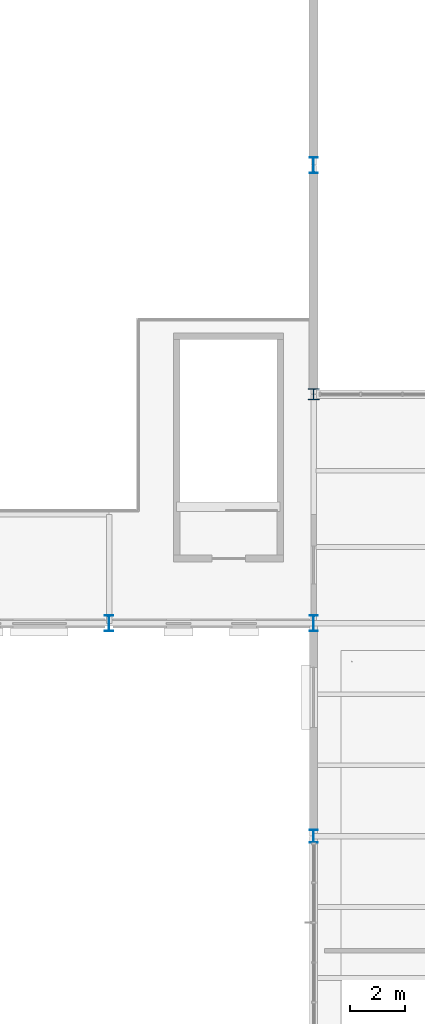
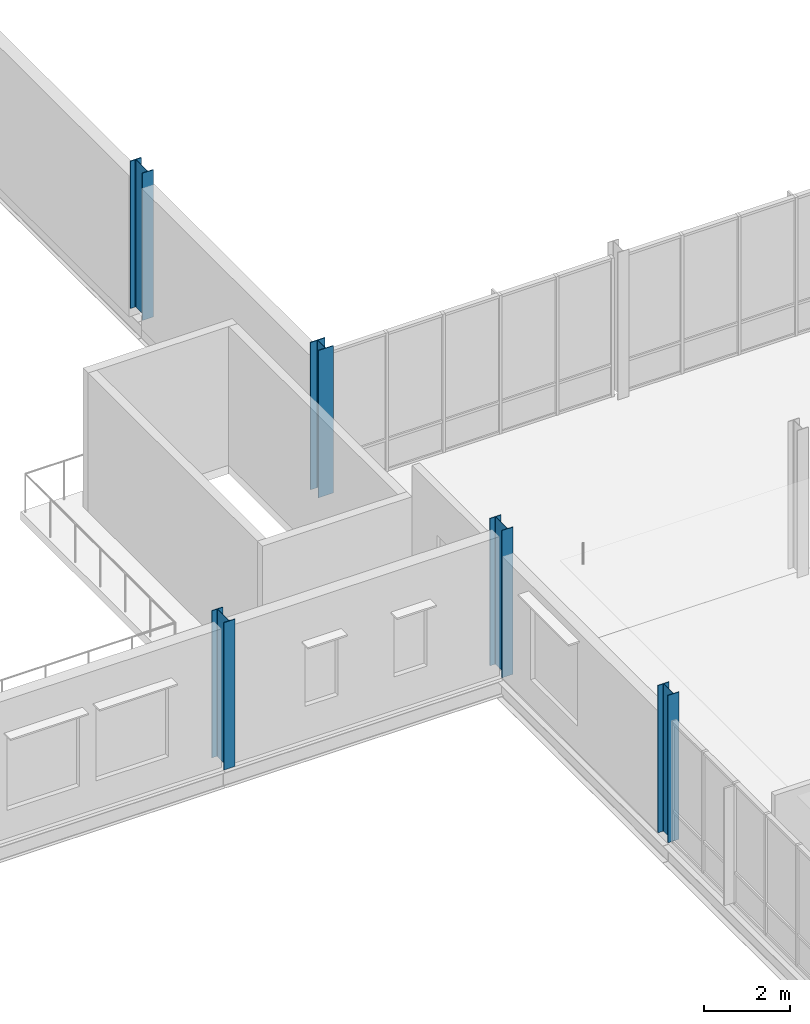
# One storey, part 9 of 75: 5 columns.
"""IFC4 building model written with IfcOpenShell, lengths in metres."""

import ifcopenshell
import ifcopenshell.guid

model = None  # the IFC model being written
_history = None  # IfcOwnerHistory: only IFC2X3 demands one
_inside = {}  # id of a spatial element -> (the spatial element, [elements in it])
_under = {}  # id of a project, library or spatial element -> (it, [spatial elements below it])
_declared = {}  # id of a project -> (the project, [libraries it declares])
_typed = {}  # id of a type object -> (the type object, [elements of that type])
_made_of = {}  # id of a material, layer set ... -> (it, [elements and type objects made of it])


def new_model(schema):
    """Start an empty IFC model of exactly this schema.

    Asked for "IFC4X3", IfcOpenShell would pick the latest addendum, in which some entities
    have other attributes; the version numbers below select the first issue.
    IFC2X3 requires an IfcOwnerHistory on every rooted entity: one is made here for all.
    """
    global model, _history
    if schema == "IFC4X3":
        model = ifcopenshell.file(schema_version=(4, 3, 0, 0))
    else:
        model = ifcopenshell.file(schema=schema)
    _inside.clear()
    _under.clear()
    _declared.clear()
    _typed.clear()
    _made_of.clear()
    _history = None
    if model.schema == "IFC2X3":
        org = make("IfcOrganization", Name="unknown")
        user = make(
            "IfcPersonAndOrganization",
            ThePerson=make("IfcPerson", FamilyName="unknown"),
            TheOrganization=org,
        )
        app = make(
            "IfcApplication",
            ApplicationDeveloper=org,
            Version="unknown",
            ApplicationFullName="unknown",
            ApplicationIdentifier="unknown",
        )
        _history = make(
            "IfcOwnerHistory",
            OwningUser=user,
            OwningApplication=app,
            ChangeAction="ADDED",
            CreationDate=0,
        )
    return model


def make(cls, **values):
    """One entity of the class cls with the attributes given. An attribute that is None is left unset."""
    return model.create_entity(
        cls, **{name: value for name, value in values.items() if value is not None}
    )


def rooted(cls, **values):
    """An entity with a GlobalId (a new one), such as an element, a storey or a relation."""
    return make(cls, GlobalId=ifcopenshell.guid.new(), OwnerHistory=_history, **values)


def si_unit(unit_type, name, prefix=None):
    """IfcSIUnit, for example si_unit("LENGTHUNIT", "METRE", prefix="MILLI")."""
    return make("IfcSIUnit", UnitType=unit_type, Prefix=prefix, Name=name)


def assignment(units):
    """IfcUnitAssignment: the units of a project."""
    return None if units is None else make("IfcUnitAssignment", Units=units)


def point(xyz):
    """IfcCartesianPoint."""
    return None if xyz is None else make("IfcCartesianPoint", Coordinates=xyz)


def direction(xyz):
    """IfcDirection."""
    return None if xyz is None else make("IfcDirection", DirectionRatios=xyz)


def frame(location, z_axis=None, x_axis=None):
    """IfcAxis2Placement3D, a coordinate frame: its origin and axes. An axis left out is left unset."""
    return make(
        "IfcAxis2Placement3D",
        Location=point(location),
        Axis=direction(z_axis),
        RefDirection=direction(x_axis),
    )


def frame_2d(location, x_axis=None):
    """IfcAxis2Placement2D, a coordinate frame in the plane: its origin and x axis."""
    return make(
        "IfcAxis2Placement2D", Location=point(location), RefDirection=direction(x_axis)
    )


def origin():
    """The frame at (0, 0, 0) with its axes left unset."""
    return frame((0.0, 0.0, 0.0))


def origin_2d():
    """The frame at (0, 0) in the plane with its x axis left unset."""
    return frame_2d((0.0, 0.0))


def place(relative_to, where):
    """IfcLocalPlacement: puts the frame where relative to a parent placement (None: the world)."""
    return make(
        "IfcLocalPlacement", PlacementRelTo=relative_to, RelativePlacement=where
    )


def context(
    kind, dimensions, precision=None, world=None, true_north=None, identifier=None
):
    """IfcGeometricRepresentationContext, for example the 3D "Model" context."""
    return make(
        "IfcGeometricRepresentationContext",
        ContextIdentifier=identifier,
        ContextType=kind,
        CoordinateSpaceDimension=dimensions,
        Precision=precision,
        WorldCoordinateSystem=world,
        TrueNorth=true_north,
    )


def subcontext(parent, identifier, kind, view, scale=None):
    """IfcGeometricRepresentationSubContext, for example "Body" below "Model"."""
    return make(
        "IfcGeometricRepresentationSubContext",
        ContextIdentifier=identifier,
        ContextType=kind,
        ParentContext=parent,
        TargetScale=scale,
        TargetView=view,
    )


def project(units=None, contexts=None):
    """IfcProject with its units and contexts."""
    return rooted(
        "IfcProject",
        Name="project",
        RepresentationContexts=contexts,
        UnitsInContext=assignment(units),
    )


def spatial(cls, under=None, at=None, **own):
    """A site, building, storey or space (cls), placed at a placement, below another one or the project."""
    s = rooted(cls, ObjectPlacement=at, **own)
    if under is not None:
        _under.setdefault(under.id(), (under, []))[1].append(s)
    return s


def profile(cls, at=None, kind="AREA", **sizes):
    """A parametric profile (cls). Its sizes go by their IFC names, for example OverallWidth=200.0."""
    return make(cls, ProfileType=kind, Position=at, **sizes)


def i_section(**sizes):
    """IfcIShapeProfileDef."""
    return profile("IfcIShapeProfileDef", **sizes)


def extrude(swept, where, along, depth):
    """IfcExtrudedAreaSolid: the profile swept, set in the frame where, extruded along a direction by depth."""
    return make(
        "IfcExtrudedAreaSolid",
        SweptArea=swept,
        Position=where,
        ExtrudedDirection=direction(along),
        Depth=depth,
    )


def shape(context_of_items, identifier, shape_type, items):
    """IfcShapeRepresentation: the items that make up one representation, for example the "Body"."""
    return make(
        "IfcShapeRepresentation",
        ContextOfItems=context_of_items,
        RepresentationIdentifier=identifier,
        RepresentationType=shape_type,
        Items=items,
    )


def material(Name=None, Category=None):
    """IfcMaterial."""
    return make("IfcMaterial", Name=Name, Category=Category)


def material_profile(
    of_material, cross_section, Name=None, Category=None, Priority=None
):
    """IfcMaterialProfile: a cross section and its material."""
    return make(
        "IfcMaterialProfile",
        Name=Name,
        Material=of_material,
        Profile=cross_section,
        Priority=Priority,
        Category=Category,
    )


def profile_set(profiles, Name=None, composite=None):
    """IfcMaterialProfileSet."""
    return make(
        "IfcMaterialProfileSet",
        Name=Name,
        MaterialProfiles=profiles,
        CompositeProfile=composite,
    )


def made_of(thing, what):
    """Note that an element or type object is made of a material, layer set ...; save() writes the relation."""
    if what is not None:
        _made_of.setdefault(what.id(), (what, []))[1].append(thing)
    return thing


def type_object(cls, material=None, **own):
    """A type object (cls), such as IfcWallType, which elements share."""
    return made_of(rooted(cls, **own), material)


def element(
    cls,
    number,
    at=None,
    inside=None,
    cuts=None,
    type_object=None,
    material=None,
    context=None,
    identifier="Body",
    shape_type=None,
    held_by="IfcProductDefinitionShape",
    body=None,
    shapes=None,
    **own,
):
    """One element of the class cls, such as IfcWall. Its Tag is "e" and its number.

    at: its placement. inside: the storey or other place that contains it. cuts: it is an
    opening in that element (IfcRelVoidsElement). A single representation is given by context,
    identifier, shape_type and body (its items); several are given by shapes. held_by: the class
    of the entity that holds the representations. save() writes the other relations.
    """
    e = rooted(cls, Tag="e%d" % number, ObjectPlacement=at, **own)
    if body is not None:
        shapes = [shape(context, identifier, shape_type, body)]
    if shapes is not None:
        e.Representation = make(held_by, Representations=shapes)
    if inside is not None:
        _inside.setdefault(inside.id(), (inside, []))[1].append(e)
    if cuts is not None:
        rooted(
            "IfcRelVoidsElement", RelatingBuildingElement=cuts, RelatedOpeningElement=e
        )
    if type_object is not None:
        _typed.setdefault(type_object.id(), (type_object, []))[1].append(e)
    return made_of(e, material)


def aggregate(whole, parts):
    """IfcRelAggregates: a whole, such as a stair, and the parts it consists of."""
    return rooted("IfcRelAggregates", RelatingObject=whole, RelatedObjects=parts)


def save(model, path):
    """Write the relations noted so far, then the file.

    IfcRelAggregates (storeys below a building ...), IfcRelContainedInSpatialStructure (elements
    in a storey), IfcRelDefinesByType, IfcRelAssociatesMaterial and IfcRelDeclares: one each for
    every whole, place, type object, material and project.
    """
    for whole, parts in _under.values():
        aggregate(whole, parts)
    for where, things in _inside.values():
        rooted(
            "IfcRelContainedInSpatialStructure",
            RelatedElements=things,
            RelatingStructure=where,
        )
    for kind, things in _typed.values():
        rooted("IfcRelDefinesByType", RelatedObjects=things, RelatingType=kind)
    for what, things in _made_of.values():
        rooted("IfcRelAssociatesMaterial", RelatedObjects=things, RelatingMaterial=what)
    for by, libraries in _declared.values():
        rooted("IfcRelDeclares", RelatingContext=by, RelatedDefinitions=libraries)
    model.write(path)


model = new_model("IFC4")

# Units and contexts
model_context = context("Model", 3, precision=1e-05, world=origin(), true_north=direction((0.0, 1.0)))
body_context = subcontext(model_context, "Body", "Model", "MODEL_VIEW")
ifc_project = project(units=[si_unit("LENGTHUNIT", "METRE"), si_unit("AREAUNIT", "SQUARE_METRE"), si_unit("VOLUMEUNIT", "CUBIC_METRE"), si_unit("PLANEANGLEUNIT", "RADIAN"), si_unit("MASSUNIT", "GRAM", prefix="KILO")], contexts=[model_context])

# Site, building, storey
site_placement = place(None, origin())
site = spatial("IfcSite", under=ifc_project, at=site_placement, CompositionType="ELEMENT")
building_placement = place(site_placement, origin())
building = spatial("IfcBuilding", under=site, at=building_placement, Name="Yukiwa Park Conservatory and Herbarium", CompositionType="ELEMENT")
storey_placement = place(building_placement, frame((0.0, 0.0, 4.800048828125)))
storey = spatial("IfcBuildingStorey", under=building, at=storey_placement, Name="L01", CompositionType="ELEMENT", Elevation=4.800048828125)

# Columns
ifc_material_1 = material(Name="Steel Q355D", Category="steel")
ifc_material_profile_1 = material_profile(ifc_material_1, i_section(OverallWidth=0.300048828125, OverallDepth=0.58203125, WebThickness=0.011962890625, FlangeThickness=0.01708984375, FilletRadius=0.02392578125, at=origin_2d()), Name="HM 582x300x12x17")
ifc_profile_set_1 = profile_set([ifc_material_profile_1], Name="Steel Q355D")
column_type_1 = type_object("IfcColumnType", Name="COL-AU-HM582", PredefinedType="COLUMN", material=ifc_profile_set_1)
column_1_placement = place(storey_placement, frame((60.0, 78.0, 0.0), z_axis=(0.0, 0.0, 1.0), x_axis=(1.0, 0.0, 0.0)))
element("IfcColumn", 1, at=column_1_placement, inside=storey, type_object=column_type_1, Name="L01 column V4-X600-Y780", PredefinedType="COLUMN", context=body_context, shape_type="SweptSolid", body=[
    extrude(i_section(OverallWidth=0.300048828125, OverallDepth=0.58203125, WebThickness=0.011962890625, FlangeThickness=0.01708984375, FilletRadius=0.02392578125, at=origin_2d()), origin(), (0.0, 0.0, 1.0), 4.199951171875),
])
ifc_material_2 = material(Name="Steel Q355D", Category="steel")
ifc_material_profile_2 = material_profile(ifc_material_2, i_section(OverallWidth=0.300048828125, OverallDepth=0.58203125, WebThickness=0.011962890625, FlangeThickness=0.01708984375, FilletRadius=0.02392578125, at=origin_2d()), Name="HM 582x300x12x17")
ifc_profile_set_2 = profile_set([ifc_material_profile_2], Name="Steel Q355D")
column_type_2 = type_object("IfcColumnType", Name="COL-AU-HM582-EXT", PredefinedType="COLUMN", material=ifc_profile_set_2)
column_2_placement = place(storey_placement, frame((52.5, 78.0, 0.0), z_axis=(0.0, 0.0, 1.0), x_axis=(1.0, 0.0, 0.0)))
element("IfcColumn", 2, at=column_2_placement, inside=storey, type_object=column_type_2, Name="L01 column V4-X525-Y780", PredefinedType="COLUMN", context=body_context, shape_type="SweptSolid", body=[
    extrude(i_section(OverallWidth=0.300048828125, OverallDepth=0.58203125, WebThickness=0.011962890625, FlangeThickness=0.01708984375, FilletRadius=0.02392578125, at=origin_2d()), origin(), (0.0, 0.0, 1.0), 4.199951171875),
])
ifc_material_3 = material(Name="Steel Q355D", Category="steel")
ifc_material_profile_3 = material_profile(ifc_material_3, i_section(OverallWidth=0.300048828125, OverallDepth=0.587890625, WebThickness=0.011962890625, FlangeThickness=0.02001953125, FilletRadius=0.02392578125, at=origin_2d()), Name="HM 588x300x12x20")
ifc_profile_set_3 = profile_set([ifc_material_profile_3], Name="Steel Q355D")
column_type_3 = type_object("IfcColumnType", Name="COL-AU-HM588-EXT", PredefinedType="COLUMN", material=ifc_profile_set_3)
column_3_placement = place(storey_placement, frame((60.0, 94.800048828125, 0.0), z_axis=(0.0, 0.0, 1.0), x_axis=(1.0, 0.0, 0.0)))
element("IfcColumn", 3, at=column_3_placement, inside=storey, type_object=column_type_3, Name="L01 column V4-X600-Y948", PredefinedType="COLUMN", context=body_context, shape_type="SweptSolid", body=[
    extrude(i_section(OverallWidth=0.300048828125, OverallDepth=0.587890625, WebThickness=0.011962890625, FlangeThickness=0.02001953125, FilletRadius=0.02392578125, at=origin_2d()), origin(), (0.0, 0.0, 1.0), 4.199951171875),
])
ifc_material_4 = material(Name="Steel Q355D", Category="steel")
ifc_material_profile_4 = material_profile(ifc_material_4, i_section(OverallWidth=0.39990234375, OverallDepth=0.39990234375, WebThickness=0.012939453125, FlangeThickness=0.02099609375, FilletRadius=0.02197265625, at=origin_2d()), Name="HW 400x400x13x21")
ifc_profile_set_4 = profile_set([ifc_material_profile_4], Name="Steel Q355D")
column_type_4 = type_object("IfcColumnType", Name="COL-TW-HW400", PredefinedType="COLUMN", material=ifc_profile_set_4)
column_4_placement = place(storey_placement, frame((60.0, 86.39990234375, 0.0), z_axis=(0.0, 0.0, 1.0), x_axis=(1.0, 0.0, 0.0)))
element("IfcColumn", 4, at=column_4_placement, inside=storey, type_object=column_type_4, Name="L01 column V4-X600-Y864", PredefinedType="COLUMN", context=body_context, shape_type="SweptSolid", body=[
    extrude(i_section(OverallWidth=0.39990234375, OverallDepth=0.39990234375, WebThickness=0.012939453125, FlangeThickness=0.02099609375, FilletRadius=0.02197265625, at=origin_2d()), origin(), (0.0, 0.0, 1.0), 4.199951171875),
])
ifc_material_5 = material(Name="Steel Q355D", Category="steel")
ifc_material_profile_5 = material_profile(ifc_material_5, i_section(OverallWidth=0.300048828125, OverallDepth=0.488037109375, WebThickness=0.010986328125, FlangeThickness=0.01806640625, FilletRadius=0.02392578125, at=origin_2d()), Name="HM 488x300x11x18")
ifc_profile_set_5 = profile_set([ifc_material_profile_5], Name="Steel Q355D")
column_type_5 = type_object("IfcColumnType", Name="COL-VS-HM488-EXT", PredefinedType="COLUMN", material=ifc_profile_set_5)
column_5_placement = place(storey_placement, frame((60.0, 70.199951171875, 0.0), z_axis=(0.0, 0.0, 1.0), x_axis=(1.0, 0.0, 0.0)))
element("IfcColumn", 5, at=column_5_placement, inside=storey, type_object=column_type_5, Name="L01 column V3-X600-Y702", PredefinedType="COLUMN", context=body_context, shape_type="SweptSolid", body=[
    extrude(i_section(OverallWidth=0.300048828125, OverallDepth=0.488037109375, WebThickness=0.010986328125, FlangeThickness=0.01806640625, FilletRadius=0.02392578125, at=origin_2d()), origin(), (0.0, 0.0, 1.0), 4.199951171875),
])

save(model, "model.ifc")
